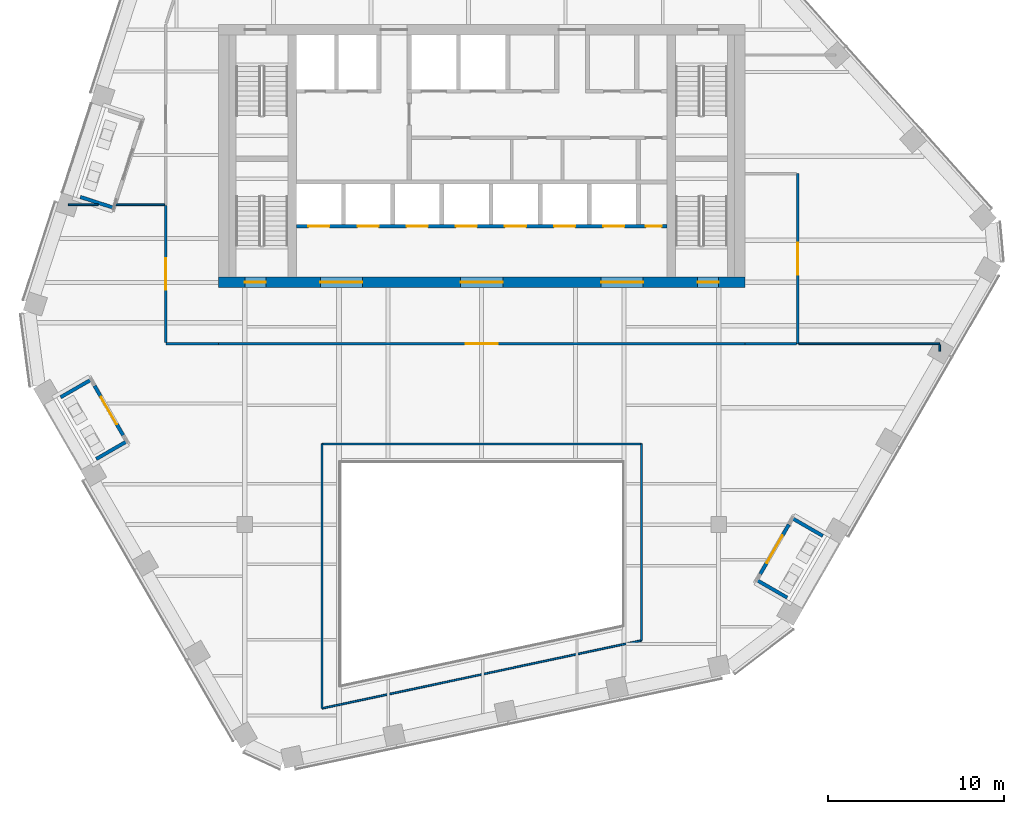
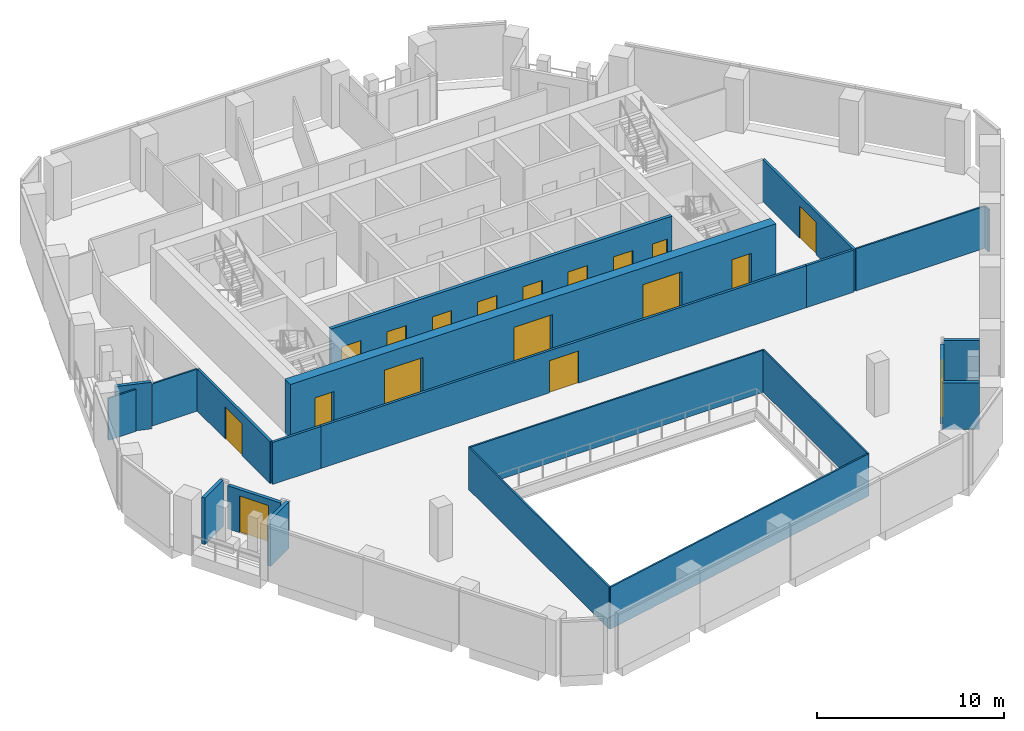
# One storey, part 15 of 24: 22 walls, 18 doors, 18 openings.
"""IFC4 building model written with IfcOpenShell, lengths in metres."""

from ifc_helpers import new_model, si_unit, direction, frame, frame_2d, origin, place, context, subcontext, project, spatial, rectangle, extrude, material, layer, layer_set, type_object, element, fill, save


model = new_model("IFC4")

# Units and contexts
model_context = context("Model", 3, precision=1e-05, world=origin(), true_north=direction((0.0, 1.0)))
body_context = subcontext(model_context, "Body", "Model", "MODEL_VIEW")
ifc_project = project(units=[si_unit("LENGTHUNIT", "METRE"), si_unit("AREAUNIT", "SQUARE_METRE"), si_unit("VOLUMEUNIT", "CUBIC_METRE"), si_unit("PLANEANGLEUNIT", "RADIAN"), si_unit("MASSUNIT", "GRAM", prefix="KILO")], contexts=[model_context])

# Site, building, storey
site_placement = place(None, origin())
site = spatial("IfcSite", under=ifc_project, at=site_placement, CompositionType="ELEMENT")
building_placement = place(site_placement, origin())
building = spatial("IfcBuilding", under=site, at=building_placement, Name="Isthmus Gate Tower", CompositionType="ELEMENT")
storey_placement = place(building_placement, frame((0.0, 0.0, 219.949951171875)))
storey = spatial("IfcBuildingStorey", under=building, at=storey_placement, Name="L55", CompositionType="ELEMENT", Elevation=219.949951171875)

# Walls
ifc_material_1 = material(Name="Fire-rated laminated glass in steel frame", Category="steel")
ifc_layer_1 = layer(ifc_material_1, 0.10009765625)
ifc_layer_set_1 = layer_set([ifc_layer_1], Name="ATRIUM SCREEN GLAZED WALL 100 120 MIN")
wall_type_1 = type_object("IfcWallType", Name="ATRIUM SCREEN GLAZED WALL 100 120 MIN", PredefinedType="PARTITIONING", material=ifc_layer_set_1)
wall_1_placement = place(storey_placement, frame((-9.10009765625, -8.89990234375, 0.0), z_axis=(0.0, 0.0, 1.0), x_axis=(1.0, 0.0, 0.0)))
element("IfcWall", 1, at=wall_1_placement, inside=storey, type_object=wall_type_1, Name="L55 atrium screen", PredefinedType="PARTITIONING", context=body_context, shape_type="SweptSolid", body=[
    extrude(rectangle(XDim=18.2001953125, YDim=0.10009765625, at=frame_2d((9.10009765625, 0.0))), origin(), (0.0, 0.0, 1.0), 2.750732421875),
])
wall_2_placement = place(storey_placement, frame((9.10009765625, -8.89990234375, 0.0), z_axis=(0.0, 0.0, 1.0), x_axis=(0.0, -1.0, 0.0)))
element("IfcWall", 2, at=wall_2_placement, inside=storey, type_object=wall_type_1, Name="L55 atrium screen", PredefinedType="PARTITIONING", context=body_context, shape_type="SweptSolid", body=[
    extrude(rectangle(XDim=11.200927734375, YDim=0.10009765625, at=frame_2d((5.6005859375, 0.0))), origin(), (0.0, 0.0, 1.0), 2.750732421875),
])
wall_3_placement = place(storey_placement, frame((9.10009765625, -20.100830078125, 0.0), z_axis=(0.0, 0.0, 1.0), x_axis=(-0.978146710971, -0.207915876778, 0.0)))
element("IfcWall", 3, at=wall_3_placement, inside=storey, type_object=wall_type_1, Name="L55 atrium screen", PredefinedType="PARTITIONING", context=body_context, shape_type="SweptSolid", body=[
    extrude(rectangle(XDim=18.60693359375, YDim=0.10009765625, at=frame_2d((9.303466796875, 0.0))), origin(), (0.0, 0.0, 1.0), 2.750732421875),
])
wall_4_placement = place(storey_placement, frame((-9.10009765625, -23.969482421875, 0.0), z_axis=(0.0, 0.0, 1.0), x_axis=(0.0, 1.0, 0.0)))
element("IfcWall", 4, at=wall_4_placement, inside=storey, type_object=wall_type_1, Name="L55 atrium screen", PredefinedType="PARTITIONING", context=body_context, shape_type="SweptSolid", body=[
    extrude(rectangle(XDim=15.069580078125, YDim=0.10009765625, at=frame_2d((7.53466796875, 0.0))), origin(), (0.0, 0.0, 1.0), 2.750732421875),
])

# Wall, opening, door
ifc_material_2 = material(Name="Gypsum board on steel studs, fire-rated", Category="steel")
ifc_layer_2 = layer(ifc_material_2, 0.14990234375)
ifc_layer_set_2 = layer_set([ifc_layer_2], Name="CORRIDOR WALL 150 60 MIN")
wall_type_2 = type_object("IfcWallType", Name="CORRIDOR WALL 150 60 MIN", PredefinedType="PARTITIONING", material=ifc_layer_set_2)
wall_5_placement = place(storey_placement, frame((15.0, -3.199951171875, 0.0), z_axis=(0.0, 0.0, 1.0), x_axis=(-1.0, 0.0, 0.0)))
wall_5 = element("IfcWall", 5, at=wall_5_placement, inside=storey, type_object=wall_type_2, Name="L55 Corridor Wall 150 60 Min", PredefinedType="PARTITIONING", context=body_context, shape_type="SweptSolid", body=[
    extrude(rectangle(XDim=30.0, YDim=0.14990234375, at=frame_2d((15.0, 0.0))), origin(), (0.0, 0.0, 1.0), 2.750732421875),
])
opening_1_placement = place(wall_5_placement, frame((14.10009765625, 0.0, 0.0)))
opening_1 = element("IfcOpeningElement", 6, at=opening_1_placement, cuts=wall_5, Name="Opening DT-T5A-05", PredefinedType="OPENING", context=body_context, shape_type="SweptSolid", body=[
    extrude(rectangle(XDim=1.800048828125, YDim=2.10009765625, at=frame_2d((0.89990234375, 1.050048828125))), frame((0.0, 0.0849609375, 0.0), z_axis=(0.0, -1.0, 0.0), x_axis=(1.0, 0.0, 0.0)), (0.0, 0.0, 1.0), 0.169921875),
])
ifc_material_3 = material(Name="Solid core timber door leaf, fire-rated", Category="wood")
door_type_1 = type_object("IfcDoorType", Name="FIRE DOOR ROOM 1800 X 2100 60 MIN", OperationType="DOUBLE_DOOR_DOUBLE_SWING", PredefinedType="DOOR", material=ifc_material_3)
door_1_placement = place(opening_1_placement, origin())
door_1 = element("IfcDoor", 7, at=door_1_placement, inside=storey, type_object=door_type_1, Name="L55 room door", OperationType="DOUBLE_DOOR_DOUBLE_SWING", OverallHeight=2.10009765625, OverallWidth=1.800048828125, PredefinedType="DOOR", context=body_context, shape_type="SweptSolid", body=[
    extrude(rectangle(XDim=1.800048828125, YDim=2.10009765625, at=frame_2d((0.89990234375, 1.050048828125))), frame((0.0, 0.02490234375, 0.0), z_axis=(0.0, -1.0, 0.0), x_axis=(1.0, 0.0, 0.0)), (0.0, 0.0, 1.0), 0.050048828125),
])
fill(opening_1, door_1)

# Wall
wall_6_placement = place(storey_placement, frame((-15.0, -3.199951171875, 0.0), z_axis=(0.0, 0.0, 1.0), x_axis=(-1.0, 0.0, 0.0)))
element("IfcWall", 8, at=wall_6_placement, inside=storey, type_object=wall_type_2, Name="L55 Corridor Wall 150 60 Min", PredefinedType="PARTITIONING", context=body_context, shape_type="SweptSolid", body=[
    extrude(rectangle(XDim=3.0, YDim=0.14990234375, at=frame_2d((1.5, 0.0))), origin(), (0.0, 0.0, 1.0), 2.750732421875),
])

# Wall, opening, door
wall_7_placement = place(storey_placement, frame((18.0, 6.5, 0.0), z_axis=(0.0, 0.0, 1.0), x_axis=(0.0, -1.0, 0.0)))
wall_7 = element("IfcWall", 9, at=wall_7_placement, inside=storey, type_object=wall_type_2, Name="L55 Corridor Wall 150 60 Min", PredefinedType="PARTITIONING", context=body_context, shape_type="SweptSolid", body=[
    extrude(rectangle(XDim=9.699951171875, YDim=0.14990234375, at=frame_2d((4.85009765625, 0.0))), origin(), (0.0, 0.0, 1.0), 2.750732421875),
])
opening_2_placement = place(wall_7_placement, frame((3.949951171875, 0.0, 0.0)))
opening_2 = element("IfcOpeningElement", 10, at=opening_2_placement, cuts=wall_7, Name="Opening DT-T5A-04", PredefinedType="OPENING", context=body_context, shape_type="SweptSolid", body=[
    extrude(rectangle(XDim=1.800048828125, YDim=2.10009765625, at=frame_2d((0.89990234375, 1.050048828125))), frame((0.0, 0.0849609375, 0.0), z_axis=(0.0, -1.0, 0.0), x_axis=(1.0, 0.0, 0.0)), (0.0, 0.0, 1.0), 0.169921875),
])
door_2_placement = place(opening_2_placement, origin())
door_2 = element("IfcDoor", 11, at=door_2_placement, inside=storey, type_object=door_type_1, Name="L55 room door", OperationType="DOUBLE_DOOR_DOUBLE_SWING", OverallHeight=2.10009765625, OverallWidth=1.800048828125, PredefinedType="DOOR", context=body_context, shape_type="SweptSolid", body=[
    extrude(rectangle(XDim=1.800048828125, YDim=2.10009765625, at=frame_2d((0.89990234375, 1.050048828125))), frame((0.0, 0.02490234375, 0.0), z_axis=(0.0, -1.0, 0.0), x_axis=(1.0, 0.0, 0.0)), (0.0, 0.0, 1.0), 0.050048828125),
])
fill(opening_2, door_2)

# Wall
wall_8_placement = place(storey_placement, frame((17.925048828125, -3.199951171875, 0.0), z_axis=(0.0, 0.0, 1.0), x_axis=(-1.0, 0.0, 0.0)))
element("IfcWall", 12, at=wall_8_placement, inside=storey, type_object=wall_type_2, Name="L55 Corridor Wall 150 60 Min", PredefinedType="PARTITIONING", context=body_context, shape_type="SweptSolid", body=[
    extrude(rectangle(XDim=2.925048828125, YDim=0.14990234375, at=frame_2d((1.46240234375, 0.0))), origin(), (0.0, 0.0, 1.0), 2.750732421875),
])

# Wall, opening, door
wall_9_placement = place(storey_placement, frame((-18.0, -3.125, 0.0), z_axis=(0.0, 0.0, 1.0), x_axis=(0.0, 1.0, 0.0)))
wall_9 = element("IfcWall", 13, at=wall_9_placement, inside=storey, type_object=wall_type_2, Name="L55 Corridor Wall 150 60 Min", PredefinedType="PARTITIONING", context=body_context, shape_type="SweptSolid", body=[
    extrude(rectangle(XDim=7.798095703125, YDim=0.14990234375, at=frame_2d((3.89892578125, 0.0))), origin(), (0.0, 0.0, 1.0), 2.750732421875),
])
opening_3_placement = place(wall_9_placement, frame((2.9990234375, 0.0, 0.0)))
opening_3 = element("IfcOpeningElement", 14, at=opening_3_placement, cuts=wall_9, Name="Opening DT-T5A-06", PredefinedType="OPENING", context=body_context, shape_type="SweptSolid", body=[
    extrude(rectangle(XDim=1.800048828125, YDim=2.10009765625, at=frame_2d((0.89990234375, 1.050048828125))), frame((0.0, 0.0849609375, 0.0), z_axis=(0.0, -1.0, 0.0), x_axis=(1.0, 0.0, 0.0)), (0.0, 0.0, 1.0), 0.169921875),
])
door_3_placement = place(opening_3_placement, origin())
door_3 = element("IfcDoor", 15, at=door_3_placement, inside=storey, type_object=door_type_1, Name="L55 room door", OperationType="DOUBLE_DOOR_DOUBLE_SWING", OverallHeight=2.10009765625, OverallWidth=1.800048828125, PredefinedType="DOOR", context=body_context, shape_type="SweptSolid", body=[
    extrude(rectangle(XDim=1.800048828125, YDim=2.10009765625, at=frame_2d((0.89990234375, 1.050048828125))), frame((0.0, 0.02490234375, 0.0), z_axis=(0.0, -1.0, 0.0), x_axis=(1.0, 0.0, 0.0)), (0.0, 0.0, 1.0), 0.050048828125),
])
fill(opening_3, door_3)

# Wall
ifc_material_4 = material(Name="Precast concrete C40/50", Category="concrete")
ifc_layer_3 = layer(ifc_material_4, 0.199951171875)
ifc_layer_set_3 = layer_set([ifc_layer_3], Name="LOGGIA WALL 200")
wall_type_3 = type_object("IfcWallType", Name="LOGGIA WALL 200", PredefinedType="SOLIDWALL", material=ifc_layer_set_3)
wall_10_placement = place(storey_placement, frame((-22.87548828125, 5.170654296875, 0.0), z_axis=(0.0, 0.0, 1.0), x_axis=(0.951067521568, -0.308983121576, 0.0)))
element("IfcWall", 16, at=wall_10_placement, inside=storey, type_object=wall_type_3, Name="LOGGIA SIDE WALL", PredefinedType="SOLIDWALL", context=body_context, shape_type="SweptSolid", body=[
    extrude(rectangle(XDim=1.984130859375, YDim=0.199951171875, at=frame_2d((0.9921875, 0.0))), origin(), (0.0, 0.0, 1.0), 3.050048828125),
])

# Wall, opening, door
wall_11_placement = place(storey_placement, frame((-22.0615234375, -5.58837890625, 0.0), z_axis=(0.0, 0.0, 1.0), x_axis=(0.500020597436, -0.866013511523, 0.0)))
wall_11 = element("IfcWall", 17, at=wall_11_placement, inside=storey, type_object=wall_type_3, Name="LOGGIA BACK WALL", PredefinedType="SOLIDWALL", context=body_context, shape_type="SweptSolid", body=[
    extrude(rectangle(XDim=3.260498046875, YDim=0.199951171875, at=frame_2d((1.63037109375, 0.0))), origin(), (0.0, 0.0, 1.0), 2.820556640625),
])
opening_4_placement = place(wall_11_placement, frame((0.730224609375, 0.0, 0.0)))
opening_4 = element("IfcOpeningElement", 18, at=opening_4_placement, cuts=wall_11, Name="Opening DE55-03", PredefinedType="OPENING", context=body_context, shape_type="SweptSolid", body=[
    extrude(rectangle(XDim=1.800048828125, YDim=2.39990234375, at=frame_2d((0.89990234375, 1.199951171875))), frame((0.0, 0.10986328125, 0.0), z_axis=(0.0, -1.0, 0.0), x_axis=(1.0, 0.0, 0.0)), (0.0, 0.0, 1.0), 0.219970703125),
])
ifc_material_5 = material(Name="Aluminium, pale champagne anodised, laminated glass", Category="aluminium")
door_type_2 = type_object("IfcDoorType", Name="LOGGIA DOOR SLIDING 1800 X 2400", OperationType="DOUBLE_DOOR_SLIDING", PredefinedType="DOOR", material=ifc_material_5)
door_4_placement = place(opening_4_placement, origin())
door_4 = element("IfcDoor", 19, at=door_4_placement, inside=storey, type_object=door_type_2, Name="DOOR DE55-03", OperationType="SINGLE_SWING_LEFT", OverallHeight=2.39990234375, OverallWidth=1.800048828125, PredefinedType="DOOR", context=body_context, shape_type="SweptSolid", body=[
    extrude(rectangle(XDim=1.800048828125, YDim=2.39990234375, at=frame_2d((0.89990234375, 1.199951171875))), frame((0.0, 0.02490234375, 0.0), z_axis=(0.0, -1.0, 0.0), x_axis=(1.0, 0.0, 0.0)), (0.0, 0.0, 1.0), 0.050048828125),
])
fill(opening_4, door_4)

# Walls
for number, where, z_axis, x_axis, name in (
    (20, (-23.99365234375, -6.241943359375, 0.0), (0.0, 0.0, 1.0), (0.866046247233, 0.49996389635, 0.0), "LOGGIA SIDE WALL"),
    (21, (-21.96337890625, -9.758544921875, 0.0), (0.0, 0.0, 1.0), (0.866046247233, 0.49996389635, 0.0), "LOGGIA SIDE WALL"),
):
    element("IfcWall", number, at=place(storey_placement, frame(where, z_axis=z_axis, x_axis=x_axis)), inside=storey, type_object=wall_type_3, Name=name, PredefinedType="SOLIDWALL", context=body_context, shape_type="SweptSolid", body=[
        extrude(rectangle(XDim=1.984130859375, YDim=0.199951171875, at=frame_2d((0.9921875, 0.0))), origin(), (0.0, 0.0, 1.0), 3.050048828125),
    ])

# Wall, opening, door
wall_12_placement = place(storey_placement, frame((15.870361328125, -16.3115234375, 0.0), z_axis=(0.0, 0.0, 1.0), x_axis=(0.500020597436, 0.866013511523, 0.0)))
wall_12 = element("IfcWall", 22, at=wall_12_placement, inside=storey, type_object=wall_type_3, Name="LOGGIA BACK WALL", PredefinedType="SOLIDWALL", context=body_context, shape_type="SweptSolid", body=[
    extrude(rectangle(XDim=3.260498046875, YDim=0.199951171875, at=frame_2d((1.63037109375, 0.0))), origin(), (0.0, 0.0, 1.0), 2.966552734375),
])
opening_5_placement = place(wall_12_placement, frame((0.730224609375, 0.0, 0.0)))
opening_5 = element("IfcOpeningElement", 23, at=opening_5_placement, cuts=wall_12, Name="Opening DE55-04", PredefinedType="OPENING", context=body_context, shape_type="SweptSolid", body=[
    extrude(rectangle(XDim=1.800048828125, YDim=2.39990234375, at=frame_2d((0.89990234375, 1.199951171875))), frame((0.0, 0.10986328125, 0.0), z_axis=(0.0, -1.0, 0.0), x_axis=(1.0, 0.0, 0.0)), (0.0, 0.0, 1.0), 0.219970703125),
])
door_5_placement = place(opening_5_placement, origin())
door_5 = element("IfcDoor", 24, at=door_5_placement, inside=storey, type_object=door_type_2, Name="DOOR DE55-04", OperationType="SINGLE_SWING_LEFT", OverallHeight=2.39990234375, OverallWidth=1.800048828125, PredefinedType="DOOR", context=body_context, shape_type="SweptSolid", body=[
    extrude(rectangle(XDim=1.800048828125, YDim=2.39990234375, at=frame_2d((0.89990234375, 1.199951171875))), frame((0.0, 0.02490234375, 0.0), z_axis=(0.0, -1.0, 0.0), x_axis=(1.0, 0.0, 0.0)), (0.0, 0.0, 1.0), 0.050048828125),
])
fill(opening_5, door_5)

# Walls
wall_13_placement = place(storey_placement, frame((17.40234375, -17.657958984375, 0.0), z_axis=(0.0, 0.0, 1.0), x_axis=(-0.866015483535, 0.500017181982, 0.0)))
element("IfcWall", 25, at=wall_13_placement, inside=storey, type_object=wall_type_3, Name="LOGGIA SIDE WALL", PredefinedType="SOLIDWALL", context=body_context, shape_type="SweptSolid", body=[
    extrude(rectangle(XDim=1.98388671875, YDim=0.199951171875, at=frame_2d((0.991943359375, 0.0))), origin(), (0.0, 0.0, 1.0), 3.050048828125),
])
wall_14_placement = place(storey_placement, frame((19.432861328125, -14.141357421875, 0.0), z_axis=(0.0, 0.0, 1.0), x_axis=(-0.866046247233, 0.49996389635, 0.0)))
element("IfcWall", 26, at=wall_14_placement, inside=storey, type_object=wall_type_3, Name="LOGGIA SIDE WALL", PredefinedType="SOLIDWALL", context=body_context, shape_type="SweptSolid", body=[
    extrude(rectangle(XDim=1.984130859375, YDim=0.199951171875, at=frame_2d((0.9921875, 0.0))), origin(), (0.0, 0.0, 1.0), 2.966552734375),
])

# Wall, openings, doors
ifc_material_6 = material(Name="Concrete f'c 50 MPa", Category="concrete")
ifc_layer_4 = layer(ifc_material_6, 0.60009765625)
ifc_layer_set_4 = layer_set([ifc_layer_4], Name="RC CORE WALL 600 F'C 50")
wall_type_4 = type_object("IfcWallType", Name="RC CORE WALL 600 F'C 50", PredefinedType="SOLIDWALL", material=ifc_layer_set_4)
wall_15_placement = place(storey_placement, frame((-15.0, 0.300048828125, -0.14990234375), z_axis=(0.0, 0.0, 1.0), x_axis=(1.0, 0.0, 0.0)))
wall_15 = element("IfcWall", 27, at=wall_15_placement, inside=storey, type_object=wall_type_4, Name="str-corewall-L55-S", PredefinedType="SOLIDWALL", context=body_context, shape_type="SweptSolid", body=[
    extrude(rectangle(XDim=30.0, YDim=0.60009765625, at=frame_2d((15.0, 0.0))), origin(), (0.0, 0.0, 1.0), 3.64990234375),
])
opening_6_placement = place(wall_15_placement, frame((5.800048828125, 0.0, 0.14990234375)))
opening_6 = element("IfcOpeningElement", 28, at=opening_6_placement, cuts=wall_15, Name="Opening DC-A17-10", PredefinedType="OPENING", context=body_context, shape_type="SweptSolid", body=[
    extrude(rectangle(XDim=2.39990234375, YDim=2.39990234375, at=frame_2d((1.199951171875, 1.199951171875))), frame((0.0, 0.31005859375, 0.0), z_axis=(0.0, -1.0, 0.0), x_axis=(1.0, 0.0, 0.0)), (0.0, 0.0, 1.0), 0.6201171875),
])
opening_7_placement = place(wall_15_placement, frame((13.800048828125, 0.0, 0.14990234375)))
opening_7 = element("IfcOpeningElement", 29, at=opening_7_placement, cuts=wall_15, Name="Opening DC-A17-11", PredefinedType="OPENING", context=body_context, shape_type="SweptSolid", body=[
    extrude(rectangle(XDim=2.39990234375, YDim=2.39990234375, at=frame_2d((1.199951171875, 1.199951171875))), frame((0.0, 0.31005859375, 0.0), z_axis=(0.0, -1.0, 0.0), x_axis=(1.0, 0.0, 0.0)), (0.0, 0.0, 1.0), 0.6201171875),
])
opening_8_placement = place(wall_15_placement, frame((21.800048828125, 0.0, 0.14990234375)))
opening_8 = element("IfcOpeningElement", 30, at=opening_8_placement, cuts=wall_15, Name="Opening DC-A17-12", PredefinedType="OPENING", context=body_context, shape_type="SweptSolid", body=[
    extrude(rectangle(XDim=2.39990234375, YDim=2.39990234375, at=frame_2d((1.199951171875, 1.199951171875))), frame((0.0, 0.31005859375, 0.0), z_axis=(0.0, -1.0, 0.0), x_axis=(1.0, 0.0, 0.0)), (0.0, 0.0, 1.0), 0.6201171875),
])
opening_9_placement = place(wall_15_placement, frame((1.5, 0.0, 0.14990234375)))
opening_9 = element("IfcOpeningElement", 31, at=opening_9_placement, cuts=wall_15, Name="Opening DC-A17-17", PredefinedType="OPENING", context=body_context, shape_type="SweptSolid", body=[
    extrude(rectangle(XDim=1.199951171875, YDim=2.10009765625, at=frame_2d((0.60009765625, 1.050048828125))), frame((0.0, 0.31005859375, 0.0), z_axis=(0.0, -1.0, 0.0), x_axis=(1.0, 0.0, 0.0)), (0.0, 0.0, 1.0), 0.6201171875),
])
opening_10_placement = place(wall_15_placement, frame((27.300048828125, 0.0, 0.14990234375)))
opening_10 = element("IfcOpeningElement", 32, at=opening_10_placement, cuts=wall_15, Name="Opening DC-A17-18", PredefinedType="OPENING", context=body_context, shape_type="SweptSolid", body=[
    extrude(rectangle(XDim=1.199951171875, YDim=2.10009765625, at=frame_2d((0.60009765625, 1.050048828125))), frame((0.0, 0.31005859375, 0.0), z_axis=(0.0, -1.0, 0.0), x_axis=(1.0, 0.0, 0.0)), (0.0, 0.0, 1.0), 0.6201171875),
])
ifc_material_7 = material(Name="Laminated safety glass in steel frame, fire-rated", Category="steel")
door_type_3 = type_object("IfcDoorType", Name="LOBBY ENTRANCE FIRE DOOR 2400 X 2400 60 MIN", OperationType="DOUBLE_DOOR_DOUBLE_SWING", PredefinedType="DOOR", material=ifc_material_7)
door_6_placement = place(opening_6_placement, origin())
door_6 = element("IfcDoor", 33, at=door_6_placement, inside=storey, type_object=door_type_3, Name="Lobby Entrance PS-W", OperationType="DOUBLE_DOOR_DOUBLE_SWING", OverallHeight=2.39990234375, OverallWidth=2.39990234375, PredefinedType="DOOR", context=body_context, shape_type="SweptSolid", body=[
    extrude(rectangle(XDim=2.39990234375, YDim=2.39990234375, at=frame_2d((1.199951171875, 1.199951171875))), frame((0.0, 0.02490234375, 0.0), z_axis=(0.0, -1.0, 0.0), x_axis=(1.0, 0.0, 0.0)), (0.0, 0.0, 1.0), 0.050048828125),
])
fill(opening_6, door_6)
door_7_placement = place(opening_7_placement, origin())
door_7 = element("IfcDoor", 34, at=door_7_placement, inside=storey, type_object=door_type_3, Name="Lobby Entrance PS-C", OperationType="DOUBLE_DOOR_DOUBLE_SWING", OverallHeight=2.39990234375, OverallWidth=2.39990234375, PredefinedType="DOOR", context=body_context, shape_type="SweptSolid", body=[
    extrude(rectangle(XDim=2.39990234375, YDim=2.39990234375, at=frame_2d((1.199951171875, 1.199951171875))), frame((0.0, 0.02490234375, 0.0), z_axis=(0.0, -1.0, 0.0), x_axis=(1.0, 0.0, 0.0)), (0.0, 0.0, 1.0), 0.050048828125),
])
fill(opening_7, door_7)
door_8_placement = place(opening_8_placement, origin())
door_8 = element("IfcDoor", 35, at=door_8_placement, inside=storey, type_object=door_type_3, Name="Lobby Entrance PS-E", OperationType="DOUBLE_DOOR_DOUBLE_SWING", OverallHeight=2.39990234375, OverallWidth=2.39990234375, PredefinedType="DOOR", context=body_context, shape_type="SweptSolid", body=[
    extrude(rectangle(XDim=2.39990234375, YDim=2.39990234375, at=frame_2d((1.199951171875, 1.199951171875))), frame((0.0, 0.02490234375, 0.0), z_axis=(0.0, -1.0, 0.0), x_axis=(1.0, 0.0, 0.0)), (0.0, 0.0, 1.0), 0.050048828125),
])
fill(opening_8, door_8)
ifc_material_8 = material(Name="Steel door leaf, fire-rated", Category="steel")
door_type_4 = type_object("IfcDoorType", Name="STAIR FIRE DOOR 1200 X 2100 90 MIN", OperationType="SINGLE_SWING_LEFT", PredefinedType="DOOR", material=ifc_material_8)
door_9_placement = place(opening_9_placement, origin())
door_9 = element("IfcDoor", 36, at=door_9_placement, inside=storey, type_object=door_type_4, Name="Exit Stair 7 Door", OperationType="SINGLE_SWING_LEFT", OverallHeight=2.10009765625, OverallWidth=1.199951171875, PredefinedType="DOOR", context=body_context, shape_type="SweptSolid", body=[
    extrude(rectangle(XDim=1.199951171875, YDim=2.10009765625, at=frame_2d((0.60009765625, 1.050048828125))), frame((0.0, 0.02490234375, 0.0), z_axis=(0.0, -1.0, 0.0), x_axis=(1.0, 0.0, 0.0)), (0.0, 0.0, 1.0), 0.050048828125),
])
fill(opening_9, door_9)
door_10_placement = place(opening_10_placement, origin())
door_10 = element("IfcDoor", 37, at=door_10_placement, inside=storey, type_object=door_type_4, Name="Exit Stair 8 Door", OperationType="SINGLE_SWING_RIGHT", OverallHeight=2.10009765625, OverallWidth=1.199951171875, PredefinedType="DOOR", context=body_context, shape_type="SweptSolid", body=[
    extrude(rectangle(XDim=1.199951171875, YDim=2.10009765625, at=frame_2d((0.60009765625, 1.050048828125))), frame((0.0, 0.02490234375, 0.0), z_axis=(0.0, -1.0, 0.0), x_axis=(1.0, 0.0, 0.0)), (0.0, 0.0, 1.0), 0.050048828125),
])
fill(opening_10, door_10)

# Walls
ifc_material_9 = material(Name="Gypsum board on steel studs, fire-rated", Category="steel")
ifc_layer_5 = layer(ifc_material_9, 0.10009765625)
ifc_layer_set_5 = layer_set([ifc_layer_5], Name="ROOM PARTITION 100 30 MIN")
wall_type_5 = type_object("IfcWallType", Name="ROOM PARTITION 100 30 MIN", PredefinedType="PARTITIONING", material=ifc_layer_set_5)
wall_16_placement = place(storey_placement, frame((-23.547119140625, 4.722900390625, 0.0), z_axis=(0.0, 0.0, 1.0), x_axis=(1.0, 0.0, 0.0)))
element("IfcWall", 38, at=wall_16_placement, inside=storey, type_object=wall_type_5, Name="L55 Room Partition 100 30 Min", PredefinedType="PARTITIONING", context=body_context, shape_type="SweptSolid", body=[
    extrude(rectangle(XDim=1.6962890625, YDim=0.10009765625, at=frame_2d((0.84814453125, 0.0))), origin(), (0.0, 0.0, 1.0), 2.750732421875),
])
wall_17_placement = place(storey_placement, frame((-20.87109375, 4.722900390625, 0.0), z_axis=(0.0, 0.0, 1.0), x_axis=(1.0, 0.0, 0.0)))
element("IfcWall", 39, at=wall_17_placement, inside=storey, type_object=wall_type_5, Name="L55 Room Partition 100 30 Min", PredefinedType="PARTITIONING", context=body_context, shape_type="SweptSolid", body=[
    extrude(rectangle(XDim=2.796142578125, YDim=0.10009765625, at=frame_2d((1.39794921875, 0.0))), origin(), (0.0, 0.0, 1.0), 2.750732421875),
])
wall_18_placement = place(storey_placement, frame((18.075927734375, -3.197998046875, 0.0), z_axis=(0.0, 0.0, 1.0), x_axis=(1.0, 0.0, 0.0)))
element("IfcWall", 40, at=wall_18_placement, inside=storey, type_object=wall_type_5, Name="L55 Room Partition 100 30 Min", PredefinedType="PARTITIONING", context=body_context, shape_type="SweptSolid", body=[
    extrude(rectangle(XDim=8.01318359375, YDim=0.10009765625, at=frame_2d((4.006591796875, 0.0))), origin(), (0.0, 0.0, 1.0), 2.750732421875),
])
wall_19_placement = place(storey_placement, frame((26.089111328125, -3.613037109375, 0.0), z_axis=(0.0, 0.0, 1.0), x_axis=(0.0, 1.0, 0.0)))
element("IfcWall", 41, at=wall_19_placement, inside=storey, type_object=wall_type_5, Name="L55 Room Partition 100 30 Min", PredefinedType="PARTITIONING", context=body_context, shape_type="SweptSolid", body=[
    extrude(rectangle(XDim=0.364990234375, YDim=0.10009765625, at=frame_2d((0.1826171875, 0.0))), origin(), (0.0, 0.0, 1.0), 2.750732421875),
])

# Wall, openings, doors
ifc_material_10 = material(Name="Fire-rated blockwork masonry, 15 MPa", Category="masonry")
ifc_layer_6 = layer(ifc_material_10, 0.199951171875)
ifc_layer_set_6 = layer_set([ifc_layer_6], Name="SHAFT FRONT WALL 200 120 MIN")
wall_type_6 = type_object("IfcWallType", Name="SHAFT FRONT WALL 200 120 MIN", PredefinedType="PARTITIONING", material=ifc_layer_set_6)
wall_20_placement = place(storey_placement, frame((-10.550048828125, 3.5, 0.0), z_axis=(0.0, 0.0, 1.0), x_axis=(1.0, 0.0, 0.0)))
wall_20 = element("IfcWall", 42, at=wall_20_placement, inside=storey, type_object=wall_type_6, Name="L55 SHAFT FRONT WALL 200 120 MIN", PredefinedType="PARTITIONING", context=body_context, shape_type="SweptSolid", body=[
    extrude(rectangle(XDim=21.10009765625, YDim=0.199951171875, at=frame_2d((10.550048828125, 0.0))), origin(), (0.0, 0.0, 1.0), 3.5),
])
opening_11_placement = place(wall_20_placement, frame((0.675048828125, 0.0, 0.0)))
opening_11 = element("IfcOpeningElement", 43, at=opening_11_placement, cuts=wall_20, Name="Opening LD-LC1", PredefinedType="OPENING", context=body_context, shape_type="SweptSolid", body=[
    extrude(rectangle(XDim=1.199951171875, YDim=2.10009765625, at=frame_2d((0.60009765625, 1.050048828125))), frame((0.0, 0.10986328125, 0.0), z_axis=(0.0, -1.0, 0.0), x_axis=(1.0, 0.0, 0.0)), (0.0, 0.0, 1.0), 0.219970703125),
])
opening_12_placement = place(wall_20_placement, frame((3.47509765625, 0.0, 0.0)))
opening_12 = element("IfcOpeningElement", 44, at=opening_12_placement, cuts=wall_20, Name="Opening LD-LC2", PredefinedType="OPENING", context=body_context, shape_type="SweptSolid", body=[
    extrude(rectangle(XDim=1.199951171875, YDim=2.10009765625, at=frame_2d((0.60009765625, 1.050048828125))), frame((0.0, 0.10986328125, 0.0), z_axis=(0.0, -1.0, 0.0), x_axis=(1.0, 0.0, 0.0)), (0.0, 0.0, 1.0), 0.219970703125),
])
opening_13_placement = place(wall_20_placement, frame((6.27490234375, 0.0, 0.0)))
opening_13 = element("IfcOpeningElement", 45, at=opening_13_placement, cuts=wall_20, Name="Opening LD-LC3", PredefinedType="OPENING", context=body_context, shape_type="SweptSolid", body=[
    extrude(rectangle(XDim=1.199951171875, YDim=2.10009765625, at=frame_2d((0.60009765625, 1.050048828125))), frame((0.0, 0.10986328125, 0.0), z_axis=(0.0, -1.0, 0.0), x_axis=(1.0, 0.0, 0.0)), (0.0, 0.0, 1.0), 0.219970703125),
])
opening_14_placement = place(wall_20_placement, frame((9.074951171875, 0.0, 0.0)))
opening_14 = element("IfcOpeningElement", 46, at=opening_14_placement, cuts=wall_20, Name="Opening LD-LC4", PredefinedType="OPENING", context=body_context, shape_type="SweptSolid", body=[
    extrude(rectangle(XDim=1.199951171875, YDim=2.10009765625, at=frame_2d((0.60009765625, 1.050048828125))), frame((0.0, 0.10986328125, 0.0), z_axis=(0.0, -1.0, 0.0), x_axis=(1.0, 0.0, 0.0)), (0.0, 0.0, 1.0), 0.219970703125),
])
opening_15_placement = place(wall_20_placement, frame((11.875, 0.0, 0.0)))
opening_15 = element("IfcOpeningElement", 47, at=opening_15_placement, cuts=wall_20, Name="Opening LD-LC5", PredefinedType="OPENING", context=body_context, shape_type="SweptSolid", body=[
    extrude(rectangle(XDim=1.199951171875, YDim=2.10009765625, at=frame_2d((0.60009765625, 1.050048828125))), frame((0.0, 0.10986328125, 0.0), z_axis=(0.0, -1.0, 0.0), x_axis=(1.0, 0.0, 0.0)), (0.0, 0.0, 1.0), 0.219970703125),
])
opening_16_placement = place(wall_20_placement, frame((14.675048828125, 0.0, 0.0)))
opening_16 = element("IfcOpeningElement", 48, at=opening_16_placement, cuts=wall_20, Name="Opening LD-LC6", PredefinedType="OPENING", context=body_context, shape_type="SweptSolid", body=[
    extrude(rectangle(XDim=1.199951171875, YDim=2.10009765625, at=frame_2d((0.60009765625, 1.050048828125))), frame((0.0, 0.10986328125, 0.0), z_axis=(0.0, -1.0, 0.0), x_axis=(1.0, 0.0, 0.0)), (0.0, 0.0, 1.0), 0.219970703125),
])
opening_17_placement = place(wall_20_placement, frame((17.47509765625, 0.0, 0.0)))
opening_17 = element("IfcOpeningElement", 49, at=opening_17_placement, cuts=wall_20, Name="Opening LD-LC7", PredefinedType="OPENING", context=body_context, shape_type="SweptSolid", body=[
    extrude(rectangle(XDim=1.199951171875, YDim=2.10009765625, at=frame_2d((0.60009765625, 1.050048828125))), frame((0.0, 0.10986328125, 0.0), z_axis=(0.0, -1.0, 0.0), x_axis=(1.0, 0.0, 0.0)), (0.0, 0.0, 1.0), 0.219970703125),
])
opening_18_placement = place(wall_20_placement, frame((19.89990234375, 0.0, 0.0)))
opening_18 = element("IfcOpeningElement", 50, at=opening_18_placement, cuts=wall_20, Name="Opening DC-A17-02", PredefinedType="OPENING", context=body_context, shape_type="SweptSolid", body=[
    extrude(rectangle(XDim=0.89990234375, YDim=2.10009765625, at=frame_2d((0.449951171875, 1.050048828125))), frame((0.0, 0.10986328125, 0.0), z_axis=(0.0, -1.0, 0.0), x_axis=(1.0, 0.0, 0.0)), (0.0, 0.0, 1.0), 0.219970703125),
])
ifc_material_11 = material(Name="Stainless steel sliding leaf", Category="steel")
door_type_5 = type_object("IfcDoorType", Name="LIFT LANDING FIRE DOOR 1200 X 2100 90 MIN", OperationType="DOUBLE_DOOR_SLIDING", PredefinedType="DOOR", material=ifc_material_11)
door_11_placement = place(opening_11_placement, origin())
door_11 = element("IfcDoor", 51, at=door_11_placement, inside=storey, type_object=door_type_5, Name="Lift Landing Door LC1", OperationType="DOUBLE_DOOR_SLIDING", OverallHeight=2.10009765625, OverallWidth=1.199951171875, PredefinedType="DOOR", context=body_context, shape_type="SweptSolid", body=[
    extrude(rectangle(XDim=1.199951171875, YDim=2.10009765625, at=frame_2d((0.60009765625, 1.050048828125))), frame((0.0, 0.02490234375, 0.0), z_axis=(0.0, -1.0, 0.0), x_axis=(1.0, 0.0, 0.0)), (0.0, 0.0, 1.0), 0.050048828125),
])
fill(opening_11, door_11)
door_12_placement = place(opening_12_placement, origin())
door_12 = element("IfcDoor", 52, at=door_12_placement, inside=storey, type_object=door_type_5, Name="Lift Landing Door LC2", OperationType="DOUBLE_DOOR_SLIDING", OverallHeight=2.10009765625, OverallWidth=1.199951171875, PredefinedType="DOOR", context=body_context, shape_type="SweptSolid", body=[
    extrude(rectangle(XDim=1.199951171875, YDim=2.10009765625, at=frame_2d((0.60009765625, 1.050048828125))), frame((0.0, 0.02490234375, 0.0), z_axis=(0.0, -1.0, 0.0), x_axis=(1.0, 0.0, 0.0)), (0.0, 0.0, 1.0), 0.050048828125),
])
fill(opening_12, door_12)
door_13_placement = place(opening_13_placement, origin())
door_13 = element("IfcDoor", 53, at=door_13_placement, inside=storey, type_object=door_type_5, Name="Lift Landing Door LC3", OperationType="DOUBLE_DOOR_SLIDING", OverallHeight=2.10009765625, OverallWidth=1.199951171875, PredefinedType="DOOR", context=body_context, shape_type="SweptSolid", body=[
    extrude(rectangle(XDim=1.199951171875, YDim=2.10009765625, at=frame_2d((0.60009765625, 1.050048828125))), frame((0.0, 0.02490234375, 0.0), z_axis=(0.0, -1.0, 0.0), x_axis=(1.0, 0.0, 0.0)), (0.0, 0.0, 1.0), 0.050048828125),
])
fill(opening_13, door_13)
door_14_placement = place(opening_14_placement, origin())
door_14 = element("IfcDoor", 54, at=door_14_placement, inside=storey, type_object=door_type_5, Name="Lift Landing Door LC4", OperationType="DOUBLE_DOOR_SLIDING", OverallHeight=2.10009765625, OverallWidth=1.199951171875, PredefinedType="DOOR", context=body_context, shape_type="SweptSolid", body=[
    extrude(rectangle(XDim=1.199951171875, YDim=2.10009765625, at=frame_2d((0.60009765625, 1.050048828125))), frame((0.0, 0.02490234375, 0.0), z_axis=(0.0, -1.0, 0.0), x_axis=(1.0, 0.0, 0.0)), (0.0, 0.0, 1.0), 0.050048828125),
])
fill(opening_14, door_14)
door_15_placement = place(opening_15_placement, origin())
door_15 = element("IfcDoor", 55, at=door_15_placement, inside=storey, type_object=door_type_5, Name="Lift Landing Door LC5", OperationType="DOUBLE_DOOR_SLIDING", OverallHeight=2.10009765625, OverallWidth=1.199951171875, PredefinedType="DOOR", context=body_context, shape_type="SweptSolid", body=[
    extrude(rectangle(XDim=1.199951171875, YDim=2.10009765625, at=frame_2d((0.60009765625, 1.050048828125))), frame((0.0, 0.02490234375, 0.0), z_axis=(0.0, -1.0, 0.0), x_axis=(1.0, 0.0, 0.0)), (0.0, 0.0, 1.0), 0.050048828125),
])
fill(opening_15, door_15)
door_16_placement = place(opening_16_placement, origin())
door_16 = element("IfcDoor", 56, at=door_16_placement, inside=storey, type_object=door_type_5, Name="Lift Landing Door LC6", OperationType="DOUBLE_DOOR_SLIDING", OverallHeight=2.10009765625, OverallWidth=1.199951171875, PredefinedType="DOOR", context=body_context, shape_type="SweptSolid", body=[
    extrude(rectangle(XDim=1.199951171875, YDim=2.10009765625, at=frame_2d((0.60009765625, 1.050048828125))), frame((0.0, 0.02490234375, 0.0), z_axis=(0.0, -1.0, 0.0), x_axis=(1.0, 0.0, 0.0)), (0.0, 0.0, 1.0), 0.050048828125),
])
fill(opening_16, door_16)
door_17_placement = place(opening_17_placement, origin())
door_17 = element("IfcDoor", 57, at=door_17_placement, inside=storey, type_object=door_type_5, Name="Lift Landing Door LC7", OperationType="DOUBLE_DOOR_SLIDING", OverallHeight=2.10009765625, OverallWidth=1.199951171875, PredefinedType="DOOR", context=body_context, shape_type="SweptSolid", body=[
    extrude(rectangle(XDim=1.199951171875, YDim=2.10009765625, at=frame_2d((0.60009765625, 1.050048828125))), frame((0.0, 0.02490234375, 0.0), z_axis=(0.0, -1.0, 0.0), x_axis=(1.0, 0.0, 0.0)), (0.0, 0.0, 1.0), 0.050048828125),
])
fill(opening_17, door_17)
ifc_material_12 = material(Name="Steel door leaf, fire-rated", Category="steel")
door_type_6 = type_object("IfcDoorType", Name="RISER FIRE DOOR 900 X 2100 90 MIN", OperationType="SINGLE_SWING_LEFT", PredefinedType="DOOR", material=ifc_material_12)
door_18_placement = place(opening_18_placement, origin())
door_18 = element("IfcDoor", 58, at=door_18_placement, inside=storey, type_object=door_type_6, Name="Riser Door", OperationType="SINGLE_SWING_RIGHT", OverallHeight=2.10009765625, OverallWidth=0.89990234375, PredefinedType="DOOR", context=body_context, shape_type="SweptSolid", body=[
    extrude(rectangle(XDim=0.89990234375, YDim=2.10009765625, at=frame_2d((0.449951171875, 1.050048828125))), frame((0.0, 0.02490234375, 0.0), z_axis=(0.0, -1.0, 0.0), x_axis=(1.0, 0.0, 0.0)), (0.0, 0.0, 1.0), 0.050048828125),
])
fill(opening_18, door_18)

save(model, "model.ifc")
